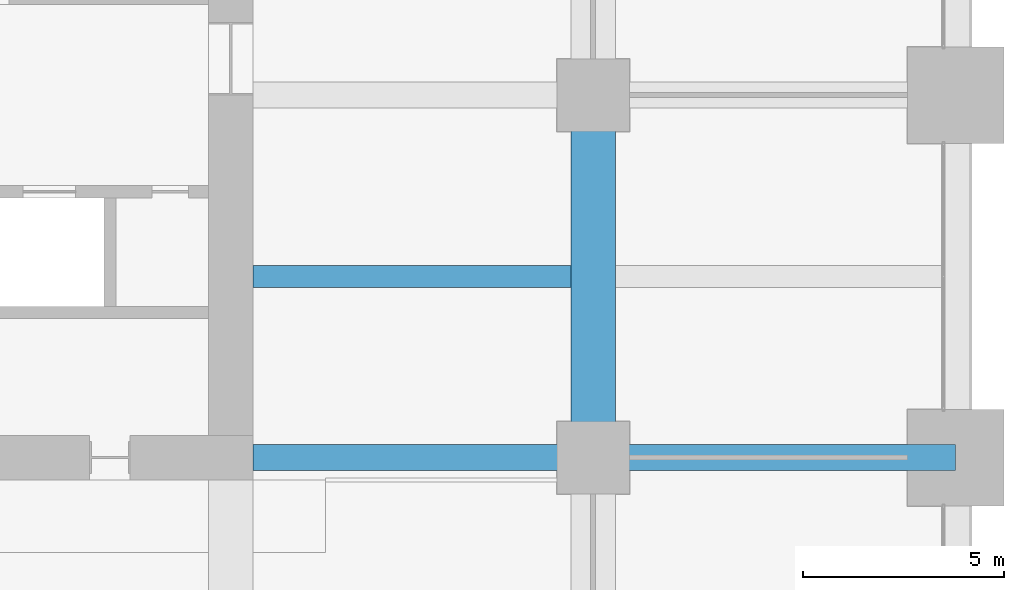
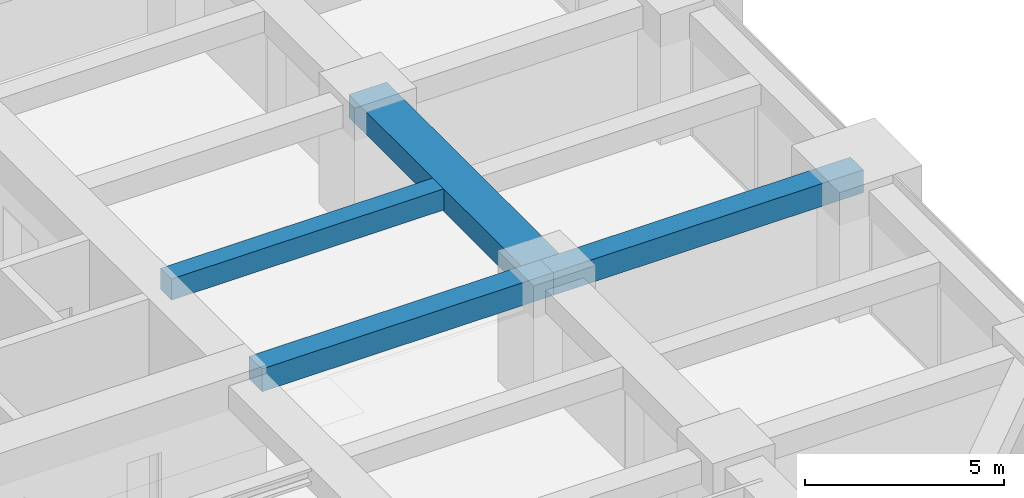
# One storey, part 20 of 41: 4 beams.
"""IFC4 building model written with IfcOpenShell, lengths in metres."""

from ifc_helpers import new_model, si_unit, direction, frame, origin, origin_2d, place, context, subcontext, project, spatial, rectangle, extrude, material, material_profile, profile_set, type_object, element, save


model = new_model("IFC4")

# Units and contexts
model_context = context("Model", 3, precision=1e-05, world=origin(), true_north=direction((0.0, 1.0)))
body_context = subcontext(model_context, "Body", "Model", "MODEL_VIEW")
ifc_project = project(units=[si_unit("LENGTHUNIT", "METRE"), si_unit("AREAUNIT", "SQUARE_METRE"), si_unit("VOLUMEUNIT", "CUBIC_METRE"), si_unit("PLANEANGLEUNIT", "RADIAN"), si_unit("MASSUNIT", "GRAM", prefix="KILO")], contexts=[model_context])

# Site, building, storey
site_placement = place(None, origin())
site = spatial("IfcSite", under=ifc_project, at=site_placement, CompositionType="ELEMENT")
building_placement = place(site_placement, origin())
building = spatial("IfcBuilding", under=site, at=building_placement, Name="Zorevar Civic Tower", CompositionType="ELEMENT")
storey_placement = place(building_placement, frame((0.0, 0.0, 137.0)))
storey = spatial("IfcBuildingStorey", under=building, at=storey_placement, Name="L33", CompositionType="ELEMENT", Elevation=137.0)

# Beams
ifc_material_1 = material(Name="Concrete C50/60", Category="concrete")
ifc_material_profile_1 = material_profile(ifc_material_1, rectangle(XDim=1.10009765625, YDim=0.699951171875, at=origin_2d()), Name="RC 1100x700")
ifc_profile_set_1 = profile_set([ifc_material_profile_1], Name="Concrete C50/60")
beam_type_1 = type_object("IfcBeamType", Name="Beam RC 1100x700", PredefinedType="BEAM", material=ifc_profile_set_1)
beam_1_placement = place(storey_placement, frame((54.0, 18.0, 3.39990234375), z_axis=(0.0, 1.0, 0.0), x_axis=(-1.0, 0.0, 0.0)))
element("IfcBeam", 1, at=beam_1_placement, inside=storey, type_object=beam_type_1, Name="Girder L34", PredefinedType="BEAM", context=body_context, shape_type="SweptSolid", body=[
    extrude(rectangle(XDim=1.10009765625, YDim=0.699951171875, at=origin_2d()), origin(), (0.0, 0.0, 1.0), 9.0),
])
ifc_material_2 = material(Name="Concrete C50/60", Category="concrete")
ifc_material_profile_2 = material_profile(ifc_material_2, rectangle(XDim=0.550048828125, YDim=0.64990234375, at=origin_2d()), Name="RC 550x650")
ifc_profile_set_2 = profile_set([ifc_material_profile_2], Name="Concrete C50/60")
beam_type_2 = type_object("IfcBeamType", Name="Beam RC 550x650", PredefinedType="BEAM", material=ifc_profile_set_2)
beam_2_placement = place(storey_placement, frame((45.550048828125, 22.5, 3.425048828125), z_axis=(1.0, 0.0, 0.0), x_axis=(0.0, 1.0, 0.0)))
element("IfcBeam", 2, at=beam_2_placement, inside=storey, type_object=beam_type_2, Name="Secondary beam L34", PredefinedType="BEAM", context=body_context, shape_type="SweptSolid", body=[
    extrude(rectangle(XDim=0.550048828125, YDim=0.64990234375, at=origin_2d()), origin(), (0.0, 0.0, 1.0), 7.89990234375),
])
ifc_material_3 = material(Name="Concrete C50/60", Category="concrete")
ifc_material_profile_3 = material_profile(ifc_material_3, rectangle(XDim=0.64990234375, YDim=0.699951171875, at=origin_2d()), Name="RC 650x700")
ifc_profile_set_3 = profile_set([ifc_material_profile_3], Name="Concrete C50/60")
beam_type_3 = type_object("IfcBeamType", Name="Beam RC 650x700", PredefinedType="BEAM", material=ifc_profile_set_3)
beam_3_placement = place(storey_placement, frame((45.550048828125, 18.0, 3.39990234375), z_axis=(1.0, 0.0, 0.0), x_axis=(0.0, 1.0, 0.0)))
element("IfcBeam", 3, at=beam_3_placement, inside=storey, type_object=beam_type_3, Name="Girder L34", PredefinedType="BEAM", context=body_context, shape_type="SweptSolid", body=[
    extrude(rectangle(XDim=0.64990234375, YDim=0.699951171875, at=origin_2d()), origin(), (0.0, 0.0, 1.0), 8.449951171875),
])
beam_4_placement = place(storey_placement, frame((54.0, 18.0, 3.39990234375), z_axis=(1.0, 0.0, 0.0), x_axis=(0.0, 1.0, 0.0)))
element("IfcBeam", 4, at=beam_4_placement, inside=storey, type_object=beam_type_3, Name="Girder L34", PredefinedType="BEAM", context=body_context, shape_type="SweptSolid", body=[
    extrude(rectangle(XDim=0.64990234375, YDim=0.699951171875, at=origin_2d()), origin(), (0.0, 0.0, 1.0), 9.0),
])

save(model, "model.ifc")
